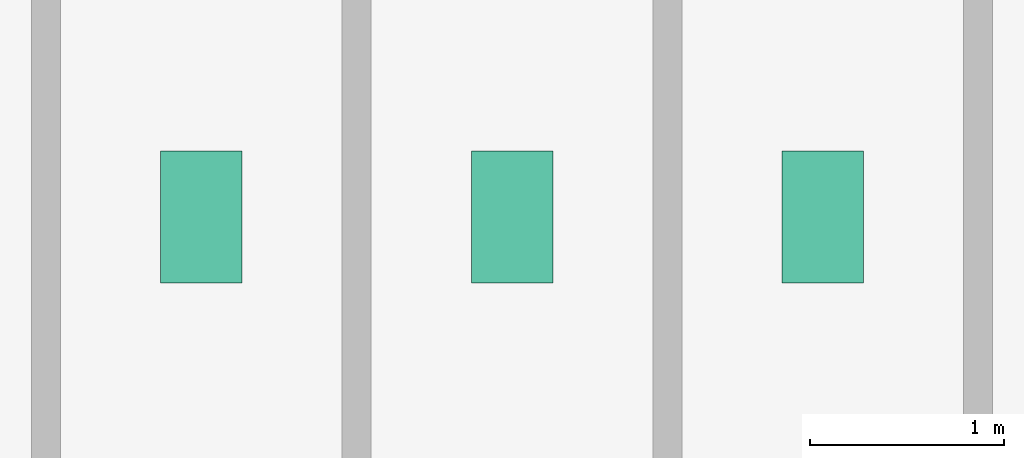
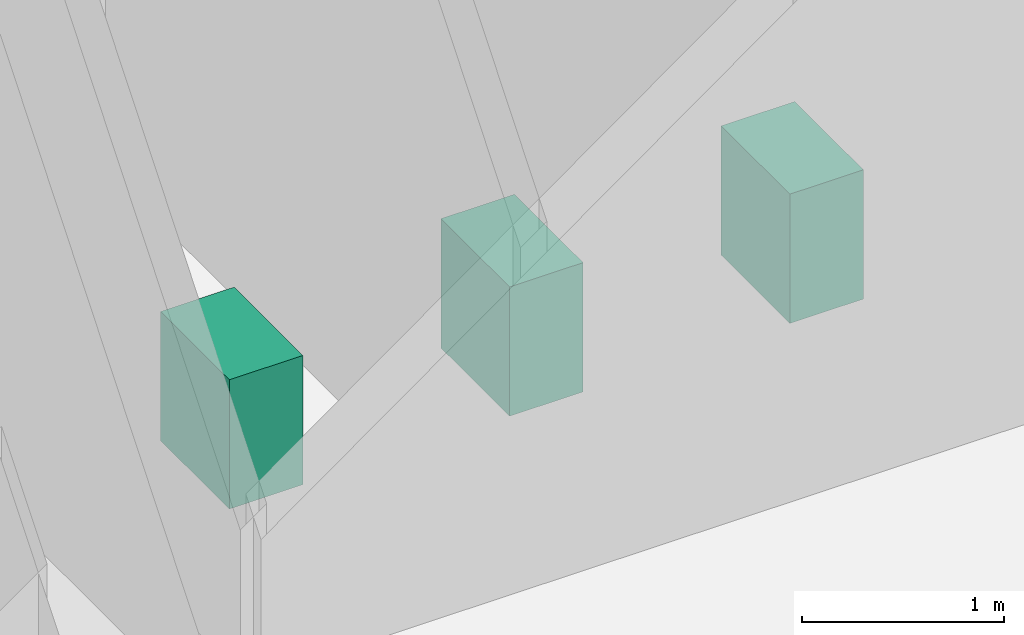
# One storey, part 22 of 22: 3 sanitary terminals.
"""IFC4 building model written with IfcOpenShell, lengths in metres."""

from ifc_helpers import new_model, si_unit, derived_unit, direction, frame, origin, origin_2d, place, context, subcontext, project, spatial, rectangle, extrude, source, transform, mapped, material, type_object, element, save


model = new_model("IFC4")

# Units and contexts
model_context = context("Model", 3, precision=1e-05, world=origin(), true_north=direction((0.0, 1.0)))
body_context = subcontext(model_context, "Body", "Model", "MODEL_VIEW")
ifc_project = project(units=[si_unit("LENGTHUNIT", "METRE"), si_unit("AREAUNIT", "SQUARE_METRE"), si_unit("VOLUMEUNIT", "CUBIC_METRE"), si_unit("PLANEANGLEUNIT", "RADIAN"), si_unit("MASSUNIT", "GRAM", prefix="KILO"), derived_unit("THERMALTRANSMITTANCEUNIT", [(si_unit("POWERUNIT", "WATT"), 1), (si_unit("LENGTHUNIT", "METRE"), -2), (si_unit("THERMODYNAMICTEMPERATUREUNIT", "KELVIN"), -1)])], contexts=[model_context])

# Site, building, storey
site_placement = place(None, origin())
site = spatial("IfcSite", under=ifc_project, at=site_placement, CompositionType="ELEMENT")
building_placement = place(site_placement, origin())
building = spatial("IfcBuilding", under=site, at=building_placement, Name="Skarnbrae Concourse Arena and Tower", CompositionType="ELEMENT")
storey_placement = place(building_placement, frame((0.0, 0.0, 192.25)))
storey = spatial("IfcBuildingStorey", under=building, at=storey_placement, Name="L49", CompositionType="ELEMENT", Elevation=192.25)

# Sanitary terminals
ifc_material = material(Name="Vitreous china sanitaryware", Category="other")
sanitary_terminal_type = type_object("IfcSanitaryTerminalType", Name="SAN-WC-VITREOUS", PredefinedType="TOILETPAN", material=ifc_material)
shared_shape = source(origin(), body_context, "Body", "SweptSolid", [
    extrude(rectangle(XDim=0.419921875, YDim=0.679931640625, at=origin_2d()), origin(), (0.0, 0.0, 1.0), 0.780029296875),
])
for number, where, z_axis, x_axis, name in (
    (1, (35.0, 11.39990234375, 0.0), (0.0, 0.0, 1.0), (1.0, 0.0, 0.0), "L49 Washroom WC fixture 1"),
    (2, (36.60009765625, 11.39990234375, 0.0), (0.0, 0.0, 1.0), (1.0, 0.0, 0.0), "L49 Washroom WC fixture 2"),
    (3, (38.199951171875, 11.39990234375, 0.0), (0.0, 0.0, 1.0), (1.0, 0.0, 0.0), "L49 Washroom WC fixture 3"),
):
    element("IfcSanitaryTerminal", number, at=place(storey_placement, frame(where, z_axis=z_axis, x_axis=x_axis)), inside=storey, type_object=sanitary_terminal_type, Name=name, PredefinedType="TOILETPAN", context=body_context, shape_type="MappedRepresentation", body=[
        mapped(shared_shape, transform((0.0, 0.0, 0.0))),
    ])

save(model, "model.ifc")
